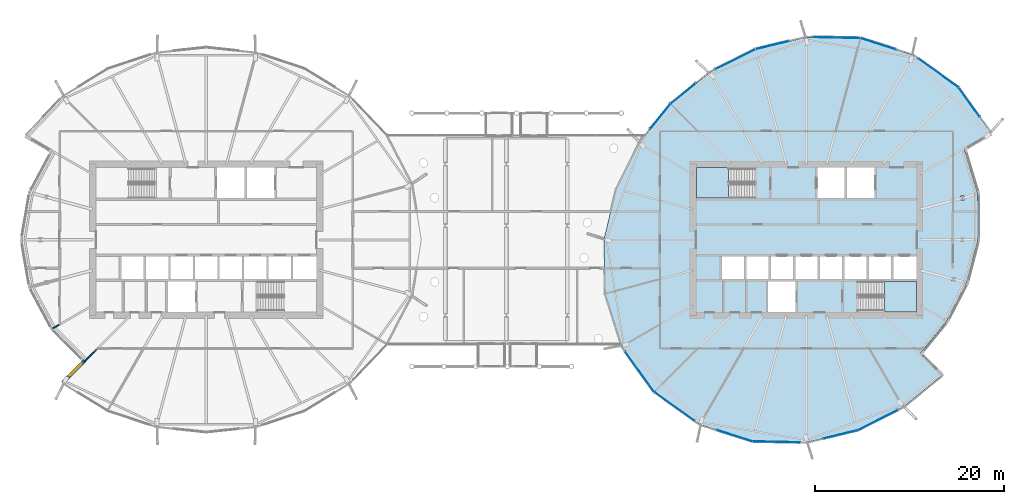
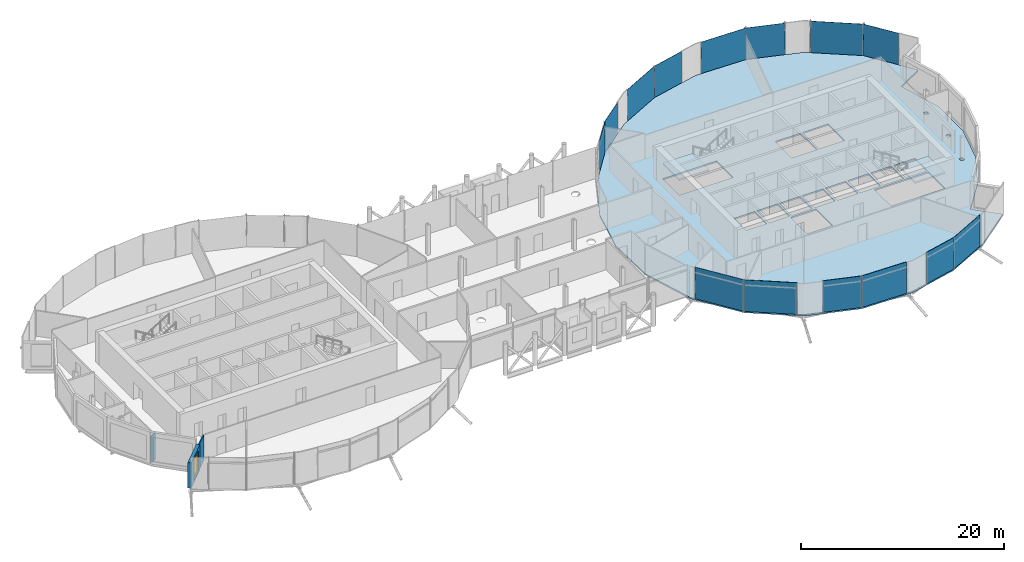
# One storey, part 23 of 40: 14 plates, 3 slabs, 3 walls, 1 window, 1 opening, 3 elements without a shape of their own.
"""IFC4 building model written with IfcOpenShell, lengths in metres."""

from ifc_helpers import new_model, si_unit, direction, frame, frame_2d, origin, origin_2d, place, context, subcontext, project, spatial, polyline, rectangle, outline, extrude, material, layer, layer_set, type_object, element, fill, aggregate, save


model = new_model("IFC4")

# Units and contexts
model_context = context("Model", 3, precision=1e-05, world=origin(), true_north=direction((0.0, 1.0)))
body_context = subcontext(model_context, "Body", "Model", "MODEL_VIEW")
ifc_project = project(units=[si_unit("LENGTHUNIT", "METRE"), si_unit("AREAUNIT", "SQUARE_METRE"), si_unit("VOLUMEUNIT", "CUBIC_METRE"), si_unit("PLANEANGLEUNIT", "RADIAN"), si_unit("MASSUNIT", "GRAM", prefix="KILO")], contexts=[model_context])

# Site, building, storey
site_placement = place(None, origin())
site = spatial("IfcSite", under=ifc_project, at=site_placement, CompositionType="ELEMENT")
building_placement = place(site_placement, origin())
building = spatial("IfcBuilding", under=site, at=building_placement, Name="Rimbun Link Towers", CompositionType="ELEMENT")
storey_placement = place(building_placement, frame((0.0, 0.0, 150.60009765625)))
storey = spatial("IfcBuildingStorey", under=building, at=storey_placement, Name="L36", CompositionType="ELEMENT", Elevation=150.60009765625)

# Slab
ifc_material_1 = material(Name="Concrete C35/45", Category="concrete")
ifc_layer_1 = layer(ifc_material_1, 0.179931640625)
ifc_layer_set_1 = layer_set([ifc_layer_1], Name="COMPOSITE FLOOR 180")
slab_type_1 = type_object("IfcSlabType", Name="COMPOSITE FLOOR 180", PredefinedType="FLOOR", material=ifc_layer_set_1)
slab_1_placement = place(storey_placement, frame((0.0, 0.0, -0.18017578125)))
element("IfcSlab", 1, at=slab_1_placement, inside=storey, type_object=slab_type_1, Name="Floor slab T2 L36", PredefinedType="FLOOR", context=body_context, shape_type="SweptSolid", body=[
    extrude(outline(polyline([(41.9775390625, -17.714599609375), (37.146728515625, -20.140625), (31.75, -21.43115234375), (26.039794921875, -21.310791015625), (20.468994140625, -19.539306640625), (15.660888671875, -16.089111328125), (12.210693359375, -11.281005859375), (10.439208984375, -5.710205078125), (10.31884765625, 0.0), (11.609375, 5.396728515625), (14.035400390625, 10.2275390625), (17.384765625, 14.365234375), (21.5224609375, 17.714599609375), (26.353271484375, 20.140625), (31.75, 21.43115234375), (37.460205078125, 21.310791015625), (43.031005859375, 19.539306640625), (47.839111328125, 16.089111328125), (51.289306640625, 11.281005859375), (48.431396484375, 9.631103515625), (49.873291015625, 4.856201171875), (49.881103515625, 0.0), (48.702880859375, -4.54248046875), (46.606689453125, -8.577392578125), (43.78173828125, -12.03173828125), (46.115234375, -14.365234375), (41.9775390625, -17.714599609375)]), holes=[polyline([(30.60009765625, -7.64990234375), (30.60009765625, -4.39990234375), (27.699951171875, -4.39990234375), (27.699951171875, -7.64990234375), (30.60009765625, -7.64990234375)]), polyline([(25.138916015625, -4.14990234375), (25.138916015625, -1.75), (22.79443359375, -1.75), (22.79443359375, -4.14990234375), (25.138916015625, -4.14990234375)]), polyline([(27.7333984375, -4.14990234375), (27.7333984375, -1.75), (25.388916015625, -1.75), (25.388916015625, -4.14990234375), (27.7333984375, -4.14990234375)]), polyline([(30.327880859375, -4.14990234375), (30.327880859375, -1.75), (27.9833984375, -1.75), (27.9833984375, -4.14990234375), (30.327880859375, -4.14990234375)]), polyline([(32.922119140625, -4.14990234375), (32.922119140625, -1.75), (30.577880859375, -1.75), (30.577880859375, -4.14990234375), (32.922119140625, -4.14990234375)]), polyline([(35.5166015625, -4.14990234375), (35.5166015625, -1.75), (33.172119140625, -1.75), (33.172119140625, -4.14990234375), (35.5166015625, -4.14990234375)]), polyline([(26.239990234375, 4.39990234375), (26.239990234375, 7.64990234375), (20.10009765625, 7.64990234375), (20.10009765625, 4.39990234375), (26.239990234375, 4.39990234375)]), polyline([(35.800048828125, 4.39990234375), (35.800048828125, 7.64990234375), (32.89990234375, 7.64990234375), (32.89990234375, 4.39990234375), (35.800048828125, 4.39990234375)]), polyline([(43.39990234375, -7.64990234375), (43.39990234375, -4.39990234375), (37.260009765625, -4.39990234375), (37.260009765625, -7.64990234375), (43.39990234375, -7.64990234375)]), polyline([(47.5166015625, -4.367919921875), (47.5166015625, -3.974365234375), (47.11767578125, -3.974365234375), (47.11767578125, -4.367919921875), (47.5166015625, -4.367919921875)]), polyline([(38.111083984375, -4.14990234375), (38.111083984375, -1.75), (35.7666015625, -1.75), (35.7666015625, -4.14990234375), (38.111083984375, -4.14990234375)]), polyline([(40.70556640625, -4.14990234375), (40.70556640625, -1.75), (38.361083984375, -1.75), (38.361083984375, -4.14990234375), (40.70556640625, -4.14990234375)]), polyline([(43.39990234375, -4.14990234375), (43.39990234375, -1.75), (40.95556640625, -1.75), (40.95556640625, -4.14990234375), (43.39990234375, -4.14990234375)]), polyline([(48.435546875, -0.19677734375), (48.435546875, 0.19677734375), (48.03662109375, 0.19677734375), (48.03662109375, -0.19677734375), (48.435546875, -0.19677734375)]), polyline([(48.450927734375, 4.224609375), (48.450927734375, 4.618408203125), (48.052001953125, 4.618408203125), (48.052001953125, 4.224609375), (48.450927734375, 4.224609375)]), polyline([(38.949951171875, 4.39990234375), (38.949951171875, 7.64990234375), (36.050048828125, 7.64990234375), (36.050048828125, 4.39990234375), (38.949951171875, 4.39990234375)])]), origin(), (0.0, 0.0, 1.0), 0.18017578125),
])

# Curtain wall, plates
ifc_material_2 = material(Name="Aluminium 6063-T6 and low-iron glass", Category="aluminium")
curtain_wall_type = type_object("IfcCurtainWallType", Name="CW4 link block wall", PredefinedType="NOTDEFINED", material=ifc_material_2)
curtain_wall_placement = place(storey_placement, origin())
curtain_wall = element("IfcCurtainWall", 2, at=curtain_wall_placement, inside=storey, type_object=curtain_wall_type, Name="CW4 L36 T2", PredefinedType="NOTDEFINED")
ifc_material_3 = material(Name="Low-iron glass, laminated low-e unit", Category="glass")
ifc_layer_2 = layer(ifc_material_3, 0.028076171875)
ifc_layer_set_2 = layer_set([ifc_layer_2], Name="CW4 panel Low-iron glass 28")
plate_type = type_object("IfcPlateType", Name="CW4 panel Low-iron glass 28", PredefinedType="CURTAIN_PANEL", material=ifc_layer_set_2)
plate_1_placement = place(storey_placement, frame((45.707275390625, 17.635986328125, 0.0), z_axis=(0.0, 0.0, 1.0), x_axis=(0.81246534364, -0.58300948996, 0.0)))
plate_1 = element("IfcPlate", 3, at=plate_1_placement, type_object=plate_type, Name="CW4 panel", PredefinedType="CURTAIN_PANEL", context=body_context, shape_type="SweptSolid", body=[
    extrude(rectangle(XDim=5.22802734375, YDim=0.028076171875, at=origin_2d()), origin(), (0.0, 0.0, 1.0), 3.800048828125),
])
plate_2_placement = place(storey_placement, frame((39.344482421875, 20.726318359375, 0.0), z_axis=(0.0, 0.0, 1.0), x_axis=(0.952971600555, -0.303059612182, 0.0)))
plate_2 = element("IfcPlate", 4, at=plate_2_placement, type_object=plate_type, Name="CW4 panel", PredefinedType="CURTAIN_PANEL", context=body_context, shape_type="SweptSolid", body=[
    extrude(rectangle(XDim=3.90576171875, YDim=0.028076171875, at=origin_2d()), origin(), (0.0, 0.0, 1.0), 3.800048828125),
])
plate_3_placement = place(storey_placement, frame((34.930419921875, 21.378173828125, 0.0), z_axis=(0.0, 0.0, 1.0), x_axis=(0.999778152734, -0.021062889527, 0.0)))
plate_3 = element("IfcPlate", 5, at=plate_3_placement, type_object=plate_type, Name="CW4 panel", PredefinedType="CURTAIN_PANEL", context=body_context, shape_type="SweptSolid", body=[
    extrude(rectangle(XDim=5.021484375, YDim=0.028076171875, at=origin_2d()), origin(), (0.0, 0.0, 1.0), 3.800048828125),
])
plate_4_placement = place(storey_placement, frame((28.148681640625, 20.58447265625, 0.0), z_axis=(0.0, 0.0, 1.0), x_axis=(0.972575435448, 0.232587665973, 0.0)))
plate_4 = element("IfcPlate", 6, at=plate_4_placement, type_object=plate_type, Name="CW4 panel", PredefinedType="CURTAIN_PANEL", context=body_context, shape_type="SweptSolid", body=[
    extrude(rectangle(XDim=3.658935546875, YDim=0.028076171875, at=origin_2d()), origin(), (0.0, 0.0, 1.0), 3.800048828125),
])
plate_5_placement = place(storey_placement, frame((24.19970703125, 19.07470703125, 0.0), z_axis=(0.0, 0.0, 1.0), x_axis=(0.893641464981, 0.448781608432, 0.0)))
plate_5 = element("IfcPlate", 7, at=plate_5_placement, type_object=plate_type, Name="CW4 panel", PredefinedType="CURTAIN_PANEL", context=body_context, shape_type="SweptSolid", body=[
    extrude(rectangle(XDim=4.765869140625, YDim=0.028076171875, at=origin_2d()), origin(), (0.0, 0.0, 1.0), 3.800048828125),
])
plate_6_placement = place(storey_placement, frame((18.725830078125, 15.46875, 0.0), z_axis=(0.0, 0.0, 1.0), x_axis=(0.777276803841, 0.629158779809, 0.0)))
plate_6 = element("IfcPlate", 8, at=plate_6_placement, type_object=plate_type, Name="CW4 panel", PredefinedType="CURTAIN_PANEL", context=body_context, shape_type="SweptSolid", body=[
    extrude(rectangle(XDim=3.433349609375, YDim=0.028076171875, at=origin_2d()), origin(), (0.0, 0.0, 1.0), 3.800048828125),
])
plate_7_placement = place(storey_placement, frame((16.296875, 13.043701171875, 0.0), z_axis=(0.0, 0.0, 1.0), x_axis=(0.629158779809, 0.777276803841, 0.0)))
plate_7 = element("IfcPlate", 9, at=plate_7_placement, type_object=plate_type, Name="CW4 panel", PredefinedType="CURTAIN_PANEL", context=body_context, shape_type="SweptSolid", body=[
    extrude(rectangle(XDim=3.383544921875, YDim=0.028076171875, at=origin_2d()), origin(), (0.0, 0.0, 1.0), 3.800048828125),
])
plate_8_placement = place(storey_placement, frame((14.099365234375, -13.93701171875, 0.0), z_axis=(0.0, 0.0, 1.0), x_axis=(-0.58300948996, 0.81246534364, 0.0)))
plate_8 = element("IfcPlate", 10, at=plate_8_placement, type_object=plate_type, Name="CW4 panel", PredefinedType="CURTAIN_PANEL", context=body_context, shape_type="SweptSolid", body=[
    extrude(rectangle(XDim=5.27783203125, YDim=0.028076171875, at=origin_2d()), origin(), (0.0, 0.0, 1.0), 3.800048828125),
])
plate_9_placement = place(storey_placement, frame((17.792724609375, -17.635986328125, 0.0), z_axis=(0.0, 0.0, 1.0), x_axis=(-0.81246534364, 0.58300948996, 0.0)))
plate_9 = element("IfcPlate", 11, at=plate_9_placement, type_object=plate_type, Name="CW4 panel", PredefinedType="CURTAIN_PANEL", context=body_context, shape_type="SweptSolid", body=[
    extrude(rectangle(XDim=5.22802734375, YDim=0.028076171875, at=origin_2d()), origin(), (0.0, 0.0, 1.0), 3.800048828125),
])
plate_10_placement = place(storey_placement, frame((24.155517578125, -20.726318359375, 0.0), z_axis=(0.0, 0.0, 1.0), x_axis=(-0.952971600555, 0.303059612182, 0.0)))
plate_10 = element("IfcPlate", 12, at=plate_10_placement, type_object=plate_type, Name="CW4 panel", PredefinedType="CURTAIN_PANEL", context=body_context, shape_type="SweptSolid", body=[
    extrude(rectangle(XDim=3.90576171875, YDim=0.028076171875, at=origin_2d()), origin(), (0.0, 0.0, 1.0), 3.800048828125),
])
plate_11_placement = place(storey_placement, frame((28.569580078125, -21.378173828125, 0.0), z_axis=(0.0, 0.0, 1.0), x_axis=(-0.999778152734, 0.021062889527, 0.0)))
plate_11 = element("IfcPlate", 13, at=plate_11_placement, type_object=plate_type, Name="CW4 panel", PredefinedType="CURTAIN_PANEL", context=body_context, shape_type="SweptSolid", body=[
    extrude(rectangle(XDim=5.021484375, YDim=0.028076171875, at=origin_2d()), origin(), (0.0, 0.0, 1.0), 3.800048828125),
])
plate_12_placement = place(storey_placement, frame((35.351318359375, -20.58447265625, 0.0), z_axis=(0.0, 0.0, 1.0), x_axis=(-0.972575435448, -0.232587665973, 0.0)))
plate_12 = element("IfcPlate", 14, at=plate_12_placement, type_object=plate_type, Name="CW4 panel", PredefinedType="CURTAIN_PANEL", context=body_context, shape_type="SweptSolid", body=[
    extrude(rectangle(XDim=3.658935546875, YDim=0.028076171875, at=origin_2d()), origin(), (0.0, 0.0, 1.0), 3.800048828125),
])
plate_13_placement = place(storey_placement, frame((39.30029296875, -19.07470703125, 0.0), z_axis=(0.0, 0.0, 1.0), x_axis=(-0.893641464981, -0.448781608432, 0.0)))
plate_13 = element("IfcPlate", 15, at=plate_13_placement, type_object=plate_type, Name="CW4 panel", PredefinedType="CURTAIN_PANEL", context=body_context, shape_type="SweptSolid", body=[
    extrude(rectangle(XDim=4.765869140625, YDim=0.028076171875, at=origin_2d()), origin(), (0.0, 0.0, 1.0), 3.800048828125),
])
plate_14_placement = place(storey_placement, frame((48.96337890625, 14.54638671875, 0.0), z_axis=(0.0, 0.0, 1.0), x_axis=(0.58300948996, -0.81246534364, 0.0)))
plate_14 = element("IfcPlate", 16, at=plate_14_placement, type_object=plate_type, Name="CW4 panel", PredefinedType="CURTAIN_PANEL", context=body_context, shape_type="SweptSolid", body=[
    extrude(rectangle(XDim=3.77783203125, YDim=0.028076171875, at=origin_2d()), origin(), (0.0, 0.0, 1.0), 3.800048828125),
])
aggregate(curtain_wall, [plate_1, plate_2, plate_3, plate_4, plate_5, plate_6, plate_7, plate_8, plate_9, plate_10, plate_11, plate_12, plate_13, plate_14])

# Stair, slab
ifc_material_4 = material(Name="Concrete C40/50", Category="concrete")
stair_type = type_object("IfcStairType", Name="Exit stair 3800 rise", PredefinedType="HALF_TURN_STAIR", material=ifc_material_4)
stair_1_placement = place(storey_placement, origin())
stair_1 = element("IfcStair", 17, at=stair_1_placement, inside=storey, type_object=stair_type, Name="L36 EXIT STAIR A", PredefinedType="HALF_TURN_STAIR")
ifc_material_5 = material(Name="Concrete C40/50", Category="concrete")
ifc_layer_3 = layer(ifc_material_5, 0.199951171875)
ifc_layer_set_3 = layer_set([ifc_layer_3], Name="Stair landing")
slab_type_2 = type_object("IfcSlabType", Name="Stair landing", PredefinedType="LANDING", material=ifc_layer_set_3)
slab_2_placement = place(storey_placement, frame((0.0, 0.0, 1.699951171875)))
slab_2 = element("IfcSlab", 18, at=slab_2_placement, type_object=slab_type_2, Name="ST3 landing 1", PredefinedType="LANDING", context=body_context, shape_type="SweptSolid", body=[
    extrude(outline(polyline([(23.5, 7.64990234375), (20.10009765625, 7.64990234375), (20.10009765625, 4.39990234375), (23.5, 4.39990234375), (23.5, 7.64990234375)])), origin(), (0.0, 0.0, 1.0), 0.199951171875),
])
aggregate(stair_1, [slab_2])

stair_2_placement = place(storey_placement, origin())
stair_2 = element("IfcStair", 19, at=stair_2_placement, inside=storey, type_object=stair_type, Name="L36 EXIT STAIR B", PredefinedType="HALF_TURN_STAIR")
slab_3_placement = place(storey_placement, frame((0.0, 0.0, 1.699951171875)))
slab_3 = element("IfcSlab", 20, at=slab_3_placement, type_object=slab_type_2, Name="ST4 landing 1", PredefinedType="LANDING", context=body_context, shape_type="SweptSolid", body=[
    extrude(outline(polyline([(40.0, -7.64990234375), (43.39990234375, -7.64990234375), (43.39990234375, -4.39990234375), (40.0, -4.39990234375), (40.0, -7.64990234375)])), origin(), (0.0, 0.0, 1.0), 0.199951171875),
])
aggregate(stair_2, [slab_3])

# Wall, opening, window
ifc_material_6 = material(Name="Dark enamelled glass spandrel on insulated aluminium backpan", Category="aluminium")
ifc_layer_4 = layer(ifc_material_6, 0.3701171875)
ifc_layer_set_4 = layer_set([ifc_layer_4], Name="CS dark enamelled spandrel wall 370")
wall_type_1 = type_object("IfcWallType", Name="CS dark enamelled spandrel wall 370", PredefinedType="STANDARD", material=ifc_layer_set_4)
wall_1_placement = place(storey_placement, frame((-46.93603515625, -15.093994140625, 0.0), z_axis=(0.0, 0.0, 1.0), x_axis=(0.707106781187, 0.707106781187, 0.0)))
wall_1 = element("IfcWall", 21, at=wall_1_placement, inside=storey, type_object=wall_type_1, Name="Crease spandrel wall", PredefinedType="STANDARD", context=body_context, shape_type="SweptSolid", body=[
    extrude(rectangle(XDim=3.280029296875, YDim=0.3701171875, at=frame_2d((1.64013671875, 0.0))), origin(), (0.0, 0.0, 1.0), 3.076904296875),
])
opening_placement = place(wall_1_placement, frame((1.046142578125, 0.0, 0.300048828125)))
opening = element("IfcOpeningElement", 22, at=opening_placement, cuts=wall_1, Name="Opening WR18H245", PredefinedType="OPENING", context=body_context, shape_type="SweptSolid", body=[
    extrude(rectangle(XDim=1.75, YDim=2.449951171875, at=frame_2d((0.875, 1.22509765625))), frame((0.0, 0.195068359375, 0.0), z_axis=(0.0, -1.0, 0.0), x_axis=(1.0, 0.0, 0.0)), (0.0, 0.0, 1.0), 0.39013671875),
])
ifc_material_7 = material(Name="Aluminium framed fixed window, dark tinted low-e glass", Category="aluminium")
window_type = type_object("IfcWindowType", Name="WR ribbon window 1750X2450", PartitioningType="SINGLE_PANEL", PredefinedType="WINDOW", material=ifc_material_7)
window_placement = place(opening_placement, origin())
window = element("IfcWindow", 23, at=window_placement, inside=storey, type_object=window_type, Name="Crease ribbon window", OverallHeight=2.449951171875, OverallWidth=1.75, PartitioningType="SINGLE_PANEL", PredefinedType="WINDOW", context=body_context, shape_type="SweptSolid", body=[
    extrude(rectangle(XDim=1.75, YDim=2.449951171875, at=frame_2d((0.875, 1.22509765625))), frame((0.0, 0.030029296875, 0.0), z_axis=(0.0, -1.0, 0.0), x_axis=(1.0, 0.0, 0.0)), (0.0, 0.0, 1.0), 0.06005859375),
])
fill(opening, window)

# Walls
ifc_material_8 = material(Name="Gypsum board on steel studs", Category="steel")
ifc_layer_5 = layer(ifc_material_8, 0.125)
ifc_layer_set_5 = layer_set([ifc_layer_5], Name="Partition 125 board on studs")
wall_type_2 = type_object("IfcWallType", Name="Partition 125 board on studs", PredefinedType="PARTITIONING", material=ifc_layer_set_5)
wall_2_placement = place(storey_placement, frame((-47.34375, -9.003173828125, 0.0), z_axis=(0.0, 0.0, 1.0), x_axis=(-0.866110364569, -0.499852814723, 0.0)))
element("IfcWall", 24, at=wall_2_placement, inside=storey, type_object=wall_type_2, Name="TW/PW/L36/009", PredefinedType="PARTITIONING", context=body_context, shape_type="SweptSolid", body=[
    extrude(rectangle(XDim=0.756591796875, YDim=0.125, at=frame_2d((0.37841796875, 0.0))), origin(), (0.0, 0.0, 1.0), 3.19384765625),
])
wall_3_placement = place(storey_placement, frame((-44.584716796875, -12.834716796875, 0.0), z_axis=(0.0, 0.0, 1.0), x_axis=(0.707106781187, 0.707106781187, 0.0)))
element("IfcWall", 25, at=wall_3_placement, inside=storey, type_object=wall_type_2, Name="TW/PW/L36/011", PredefinedType="PARTITIONING", context=body_context, shape_type="SweptSolid", body=[
    extrude(rectangle(XDim=1.736572265625, YDim=0.125, at=frame_2d((0.8681640625, 0.0))), origin(), (0.0, 0.0, 1.0), 3.06689453125),
])

save(model, "model.ifc")
